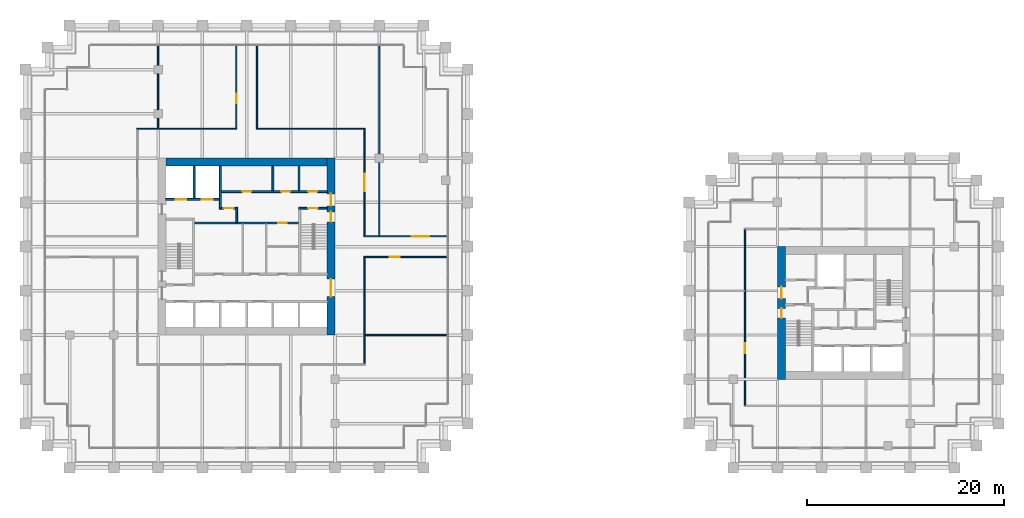
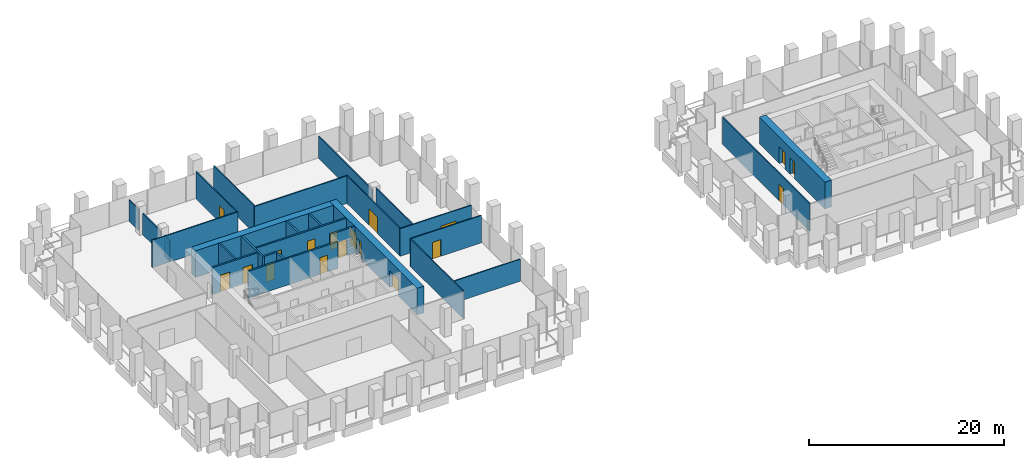
# One storey, part 51 of 54: 28 walls, 18 doors, 18 openings.
"""IFC4 building model written with IfcOpenShell, lengths in metres."""

from ifc_helpers import new_model, si_unit, direction, frame, frame_2d, origin, place, context, subcontext, project, spatial, rectangle, extrude, material, layer, layer_set, type_object, element, fill, save


model = new_model("IFC4")

# Units and contexts
model_context = context("Model", 3, precision=1e-05, world=origin(), true_north=direction((0.0, 1.0)))
body_context = subcontext(model_context, "Body", "Model", "MODEL_VIEW")
ifc_project = project(units=[si_unit("LENGTHUNIT", "METRE"), si_unit("AREAUNIT", "SQUARE_METRE"), si_unit("VOLUMEUNIT", "CUBIC_METRE"), si_unit("PLANEANGLEUNIT", "RADIAN"), si_unit("MASSUNIT", "GRAM", prefix="KILO")], contexts=[model_context])

# Site, building, storey
site_placement = place(None, origin())
site = spatial("IfcSite", under=ifc_project, at=site_placement, CompositionType="ELEMENT")
building_placement = place(site_placement, origin())
building = spatial("IfcBuilding", under=site, at=building_placement, Name="Altepetl Exchange Towers", CompositionType="ELEMENT")
storey_placement = place(building_placement, frame((0.0, 0.0, 58.199951171875)))
storey = spatial("IfcBuildingStorey", under=building, at=storey_placement, Name="L13", CompositionType="ELEMENT", Elevation=58.199951171875)

# Wall, openings, doors
ifc_material_1 = material(Name="Concrete C70/85", Category="concrete")
ifc_layer_1 = layer(ifc_material_1, 0.800048828125)
ifc_layer_set_1 = layer_set([ifc_layer_1], Name="Concrete C70/85")
wall_type_1 = type_object("IfcWallType", Name="Core wall 800 reinforced concrete", PredefinedType="SHEAR", material=ifc_layer_set_1)
wall_1_placement = place(storey_placement, frame((58.10009765625, 40.5, 0.0), z_axis=(0.0, 0.0, 1.0), x_axis=(0.0, 1.0, 0.0)))
wall_1 = element("IfcWall", 1, at=wall_1_placement, inside=storey, type_object=wall_type_1, Name="wall:A:L13:K-coreE", PredefinedType="SHEAR", context=body_context, shape_type="SweptSolid", body=[
    extrude(rectangle(XDim=18.0, YDim=0.800048828125, at=frame_2d((9.0, 0.0))), origin(), (0.0, 0.0, 1.0), 3.35009765625),
])
opening_1_placement = place(wall_1_placement, frame((13.14990234375, 0.0, 0.0)))
opening_1 = element("IfcOpeningElement", 2, at=opening_1_placement, cuts=wall_1, Name="Opening L13.A60", PredefinedType="OPENING", context=body_context, shape_type="SweptSolid", body=[
    extrude(rectangle(XDim=1.199951171875, YDim=2.10009765625, at=frame_2d((0.60009765625, 1.050048828125))), frame((0.0, 0.41015625, 0.0), z_axis=(0.0, -1.0, 0.0), x_axis=(1.0, 0.0, 0.0)), (0.0, 0.0, 1.0), 0.820068359375),
])
opening_2_placement = place(wall_1_placement, frame((3.89990234375, 0.0, 0.0)))
opening_2 = element("IfcOpeningElement", 3, at=opening_2_placement, cuts=wall_1, Name="Opening L13.A61", PredefinedType="OPENING", context=body_context, shape_type="SweptSolid", body=[
    extrude(rectangle(XDim=1.800048828125, YDim=2.10009765625, at=frame_2d((0.89990234375, 1.050048828125))), frame((0.0, 0.41015625, 0.0), z_axis=(0.0, -1.0, 0.0), x_axis=(1.0, 0.0, 0.0)), (0.0, 0.0, 1.0), 0.820068359375),
])
opening_3_placement = place(wall_1_placement, frame((11.52490234375, 0.0, 0.0)))
opening_3 = element("IfcOpeningElement", 4, at=opening_3_placement, cuts=wall_1, Name="Opening L13.A66", PredefinedType="OPENING", context=body_context, shape_type="SweptSolid", body=[
    extrude(rectangle(XDim=1.0, YDim=2.10009765625, at=frame_2d((0.5, 1.050048828125))), frame((0.0, 0.41015625, 0.0), z_axis=(0.0, -1.0, 0.0), x_axis=(1.0, 0.0, 0.0)), (0.0, 0.0, 1.0), 0.820068359375),
])
ifc_material_2 = material(Name="Steel and timber fire door", Category="steel")
door_type_1 = type_object("IfcDoorType", Name="Fire door 1000 x 2100 stair and lobby", OperationType="SINGLE_SWING_LEFT", PredefinedType="DOOR", material=ifc_material_2)
door_1_placement = place(opening_3_placement, origin())
door_1 = element("IfcDoor", 5, at=door_1_placement, inside=storey, type_object=door_type_1, Name="door:A:L13:K-dS2x", OperationType="SINGLE_SWING_RIGHT", OverallHeight=2.10009765625, OverallWidth=1.0, PredefinedType="DOOR", context=body_context, shape_type="SweptSolid", body=[
    extrude(rectangle(XDim=1.0, YDim=2.10009765625, at=frame_2d((0.5, 1.050048828125))), frame((0.0, 0.02490234375, 0.0), z_axis=(0.0, -1.0, 0.0), x_axis=(1.0, 0.0, 0.0)), (0.0, 0.0, 1.0), 0.050048828125),
])
fill(opening_3, door_1)
door_type_2 = type_object("IfcDoorType", Name="Fire door 1200 x 2100 lobby entry", OperationType="SINGLE_SWING_LEFT", PredefinedType="DOOR", material=ifc_material_2)
door_2_placement = place(opening_1_placement, origin())
door_2 = element("IfcDoor", 6, at=door_2_placement, inside=storey, type_object=door_type_2, Name="door:A:L13:K-dLNE", OperationType="SINGLE_SWING_RIGHT", OverallHeight=2.10009765625, OverallWidth=1.199951171875, PredefinedType="DOOR", context=body_context, shape_type="SweptSolid", body=[
    extrude(rectangle(XDim=1.199951171875, YDim=2.10009765625, at=frame_2d((0.60009765625, 1.050048828125))), frame((0.0, 0.02490234375, 0.0), z_axis=(0.0, -1.0, 0.0), x_axis=(1.0, 0.0, 0.0)), (0.0, 0.0, 1.0), 0.050048828125),
])
fill(opening_1, door_2)
door_type_3 = type_object("IfcDoorType", Name="Fire door 1800 x 2100 lobby entry", OperationType="DOUBLE_DOOR_SINGLE_SWING", PredefinedType="DOOR", material=ifc_material_2)
door_3_placement = place(opening_2_placement, origin())
door_3 = element("IfcDoor", 7, at=door_3_placement, inside=storey, type_object=door_type_3, Name="door:A:L13:K-dLSE", OperationType="DOUBLE_DOOR_SINGLE_SWING", OverallHeight=2.10009765625, OverallWidth=1.800048828125, PredefinedType="DOOR", context=body_context, shape_type="SweptSolid", body=[
    extrude(rectangle(XDim=1.800048828125, YDim=2.10009765625, at=frame_2d((0.89990234375, 1.050048828125))), frame((0.0, 0.02490234375, 0.0), z_axis=(0.0, -1.0, 0.0), x_axis=(1.0, 0.0, 0.0)), (0.0, 0.0, 1.0), 0.050048828125),
])
fill(opening_2, door_3)

# Wall
wall_2_placement = place(storey_placement, frame((41.300048828125, 58.10009765625, 0.0)))
element("IfcWall", 8, at=wall_2_placement, inside=storey, type_object=wall_type_1, Name="wall:A:L13:K-coreN", PredefinedType="SHEAR", context=body_context, shape_type="SweptSolid", body=[
    extrude(rectangle(XDim=16.39990234375, YDim=0.800048828125, at=frame_2d((8.199951171875, 0.0))), origin(), (0.0, 0.0, 1.0), 3.35009765625),
])

# Wall, openings, doors
wall_3_placement = place(storey_placement, frame((103.89990234375, 36.0, 0.0), z_axis=(0.0, 0.0, 1.0), x_axis=(0.0, 1.0, 0.0)))
wall_3 = element("IfcWall", 9, at=wall_3_placement, inside=storey, type_object=wall_type_1, Name="wall:B:L13:K-coreW", PredefinedType="SHEAR", context=body_context, shape_type="SweptSolid", body=[
    extrude(rectangle(XDim=13.5, YDim=0.800048828125, at=frame_2d((6.75, 0.0))), origin(), (0.0, 0.0, 1.0), 3.35009765625),
])
opening_4_placement = place(wall_3_placement, frame((8.199951171875, 0.0, 0.0)))
opening_4 = element("IfcOpeningElement", 10, at=opening_4_placement, cuts=wall_3, Name="Opening L13.B60", PredefinedType="OPENING", context=body_context, shape_type="SweptSolid", body=[
    extrude(rectangle(XDim=1.199951171875, YDim=2.10009765625, at=frame_2d((0.60009765625, 1.050048828125))), frame((0.0, 0.41015625, 0.0), z_axis=(0.0, -1.0, 0.0), x_axis=(1.0, 0.0, 0.0)), (0.0, 0.0, 1.0), 0.820068359375),
])
opening_5_placement = place(wall_3_placement, frame((6.22509765625, 0.0, 0.0)))
opening_5 = element("IfcOpeningElement", 11, at=opening_5_placement, cuts=wall_3, Name="Opening L13.B63", PredefinedType="OPENING", context=body_context, shape_type="SweptSolid", body=[
    extrude(rectangle(XDim=1.0, YDim=2.10009765625, at=frame_2d((0.5, 1.050048828125))), frame((0.0, 0.41015625, 0.0), z_axis=(0.0, -1.0, 0.0), x_axis=(1.0, 0.0, 0.0)), (0.0, 0.0, 1.0), 0.820068359375),
])
door_4_placement = place(opening_5_placement, frame((1.0, 0.0, 0.0), x_axis=(-1.0, 0.0, 0.0)))
door_4 = element("IfcDoor", 12, at=door_4_placement, inside=storey, type_object=door_type_1, Name="door:B:L13:K-dS1x", OperationType="SINGLE_SWING_RIGHT", OverallHeight=2.10009765625, OverallWidth=1.0, PredefinedType="DOOR", context=body_context, shape_type="SweptSolid", body=[
    extrude(rectangle(XDim=1.0, YDim=2.10009765625, at=frame_2d((0.5, 1.050048828125))), frame((0.0, 0.02490234375, 0.0), z_axis=(0.0, -1.0, 0.0), x_axis=(1.0, 0.0, 0.0)), (0.0, 0.0, 1.0), 0.050048828125),
])
fill(opening_5, door_4)
door_5_placement = place(opening_4_placement, frame((1.199951171875, 0.0, 0.0), x_axis=(-1.0, 0.0, 0.0)))
door_5 = element("IfcDoor", 13, at=door_5_placement, inside=storey, type_object=door_type_2, Name="door:B:L13:K-dLNW", OperationType="SINGLE_SWING_RIGHT", OverallHeight=2.10009765625, OverallWidth=1.199951171875, PredefinedType="DOOR", context=body_context, shape_type="SweptSolid", body=[
    extrude(rectangle(XDim=1.199951171875, YDim=2.10009765625, at=frame_2d((0.60009765625, 1.050048828125))), frame((0.0, 0.02490234375, 0.0), z_axis=(0.0, -1.0, 0.0), x_axis=(1.0, 0.0, 0.0)), (0.0, 0.0, 1.0), 0.050048828125),
])
fill(opening_4, door_5)

# Wall
ifc_material_3 = material(Name="Concrete blockwork", Category="masonry")
ifc_layer_2 = layer(ifc_material_3, 0.199951171875)
ifc_layer_set_2 = layer_set([ifc_layer_2], Name="Concrete blockwork")
wall_type_2 = type_object("IfcWallType", Name="Lobby wall 200 blockwork", PredefinedType="PARTITIONING", material=ifc_layer_set_2)
wall_4_placement = place(storey_placement, frame((48.5, 51.89990234375, 0.0), z_axis=(0.0, 0.0, 1.0), x_axis=(0.0, 1.0, 0.0)))
element("IfcWall", 14, at=wall_4_placement, inside=storey, type_object=wall_type_2, Name="wall:A:L13:K-ffE", PredefinedType="PARTITIONING", context=body_context, shape_type="SweptSolid", body=[
    extrude(rectangle(XDim=1.60009765625, YDim=0.199951171875, at=frame_2d((0.800048828125, 0.0))), origin(), (0.0, 0.0, 1.0), 3.35009765625),
])

# Wall, opening, door
wall_5_placement = place(storey_placement, frame((46.933349609375, 53.39990234375, 0.0)))
wall_5 = element("IfcWall", 15, at=wall_5_placement, inside=storey, type_object=wall_type_2, Name="wall:A:L13:K-ffN", PredefinedType="PARTITIONING", context=body_context, shape_type="SweptSolid", body=[
    extrude(rectangle(XDim=1.466552734375, YDim=0.199951171875, at=frame_2d((0.7333984375, 0.0))), origin(), (0.0, 0.0, 1.0), 3.35009765625),
])
opening_6_placement = place(wall_5_placement, frame((0.2666015625, 0.0, 0.0)))
opening_6 = element("IfcOpeningElement", 16, at=opening_6_placement, cuts=wall_5, Name="Opening L13.A67", PredefinedType="OPENING", context=body_context, shape_type="SweptSolid", body=[
    extrude(rectangle(XDim=1.0, YDim=2.10009765625, at=frame_2d((0.5, 1.050048828125))), frame((0.0, 0.10986328125, 0.0), z_axis=(0.0, -1.0, 0.0), x_axis=(1.0, 0.0, 0.0)), (0.0, 0.0, 1.0), 0.219970703125),
])
door_6_placement = place(opening_6_placement, frame((1.0, 0.0, 0.0), x_axis=(-1.0, 0.0, 0.0)))
door_6 = element("IfcDoor", 17, at=door_6_placement, inside=storey, type_object=door_type_1, Name="door:A:L13:K-dffN", OperationType="SINGLE_SWING_RIGHT", OverallHeight=2.10009765625, OverallWidth=1.0, PredefinedType="DOOR", context=body_context, shape_type="SweptSolid", body=[
    extrude(rectangle(XDim=1.0, YDim=2.10009765625, at=frame_2d((0.5, 1.050048828125))), frame((0.0, 0.02490234375, 0.0), z_axis=(0.0, -1.0, 0.0), x_axis=(1.0, 0.0, 0.0)), (0.0, 0.0, 1.0), 0.050048828125),
])
fill(opening_6, door_6)

wall_6_placement = place(storey_placement, frame((44.199951171875, 51.89990234375, 0.0)))
wall_6 = element("IfcWall", 18, at=wall_6_placement, inside=storey, type_object=wall_type_2, Name="wall:A:L13:K-zoneN", PredefinedType="PARTITIONING", context=body_context, shape_type="SweptSolid", body=[
    extrude(rectangle(XDim=10.60009765625, YDim=0.199951171875, at=frame_2d((5.300048828125, 0.0))), origin(), (0.0, 0.0, 1.0), 3.35009765625),
])
opening_7_placement = place(wall_6_placement, frame((8.5, 0.0, 0.0)))
opening_7 = element("IfcOpeningElement", 19, at=opening_7_placement, cuts=wall_6, Name="Opening L13.A74", PredefinedType="OPENING", context=body_context, shape_type="SweptSolid", body=[
    extrude(rectangle(XDim=0.89990234375, YDim=2.10009765625, at=frame_2d((0.449951171875, 1.050048828125))), frame((0.0, 0.10986328125, 0.0), z_axis=(0.0, -1.0, 0.0), x_axis=(1.0, 0.0, 0.0)), (0.0, 0.0, 1.0), 0.219970703125),
])
door_type_4 = type_object("IfcDoorType", Name="Fire door 900 x 2100 service room", OperationType="SINGLE_SWING_LEFT", PredefinedType="DOOR", material=ifc_material_2)
door_7_placement = place(opening_7_placement, frame((0.89990234375, 0.0, 0.0), x_axis=(-1.0, 0.0, 0.0)))
door_7 = element("IfcDoor", 20, at=door_7_placement, inside=storey, type_object=door_type_4, Name="door:A:L13:K-dz3", OperationType="SINGLE_SWING_LEFT", OverallHeight=2.10009765625, OverallWidth=0.89990234375, PredefinedType="DOOR", context=body_context, shape_type="SweptSolid", body=[
    extrude(rectangle(XDim=0.89990234375, YDim=2.10009765625, at=frame_2d((0.449951171875, 1.050048828125))), frame((0.0, 0.02490234375, 0.0), z_axis=(0.0, -1.0, 0.0), x_axis=(1.0, 0.0, 0.0)), (0.0, 0.0, 1.0), 0.050048828125),
])
fill(opening_7, door_7)

# Wall
ifc_material_4 = material(Name="Gypsum board on steel studs", Category="steel")
ifc_layer_3 = layer(ifc_material_4, 0.125)
ifc_layer_set_3 = layer_set([ifc_layer_3], Name="Gypsum board on steel studs")
wall_type_3 = type_object("IfcWallType", Name="Partition 125 gypsum board on steel studs", PredefinedType="PARTITIONING", material=ifc_layer_set_3)
wall_7_placement = place(storey_placement, frame((61.5, 40.5, 0.0)))
element("IfcWall", 21, at=wall_7_placement, inside=storey, type_object=wall_type_3, Name="wall:A:L13:P03", PredefinedType="PARTITIONING", context=body_context, shape_type="SweptSolid", body=[
    extrude(rectangle(XDim=8.39990234375, YDim=0.125, at=frame_2d((4.199951171875, 0.0))), origin(), (0.0, 0.0, 1.0), 2.76611328125),
])

# Wall, opening, door
wall_8_placement = place(storey_placement, frame((61.4375, 48.449951171875, 0.0)))
wall_8 = element("IfcWall", 22, at=wall_8_placement, inside=storey, type_object=wall_type_3, Name="wall:A:L13:P05", PredefinedType="PARTITIONING", context=body_context, shape_type="SweptSolid", body=[
    extrude(rectangle(XDim=8.46240234375, YDim=0.125, at=frame_2d((4.231201171875, 0.0))), origin(), (0.0, 0.0, 1.0), 3.449951171875),
])
opening_8_placement = place(wall_8_placement, frame((2.62451171875, 0.0, 0.0)))
opening_8 = element("IfcOpeningElement", 23, at=opening_8_placement, cuts=wall_8, Name="Opening L13.A05", PredefinedType="OPENING", context=body_context, shape_type="SweptSolid", body=[
    extrude(rectangle(XDim=1.0, YDim=2.10009765625, at=frame_2d((0.5, 1.050048828125))), frame((0.0, 0.072509765625, 0.0), z_axis=(0.0, -1.0, 0.0), x_axis=(1.0, 0.0, 0.0)), (0.0, 0.0, 1.0), 0.14501953125),
])
door_type_5 = type_object("IfcDoorType", Name="Fire door 1000 x 2100 single leaf", OperationType="SINGLE_SWING_LEFT", PredefinedType="DOOR", material=ifc_material_2)
door_8_placement = place(opening_8_placement, frame((1.0, 0.0, 0.0), x_axis=(-1.0, 0.0, 0.0)))
door_8 = element("IfcDoor", 24, at=door_8_placement, inside=storey, type_object=door_type_5, Name="door:A:L13:05", OperationType="SINGLE_SWING_LEFT", OverallHeight=2.10009765625, OverallWidth=1.0, PredefinedType="DOOR", context=body_context, shape_type="SweptSolid", body=[
    extrude(rectangle(XDim=1.0, YDim=2.10009765625, at=frame_2d((0.5, 1.050048828125))), frame((0.0, 0.02490234375, 0.0), z_axis=(0.0, -1.0, 0.0), x_axis=(1.0, 0.0, 0.0)), (0.0, 0.0, 1.0), 0.050048828125),
])
fill(opening_8, door_8)

wall_9_placement = place(storey_placement, frame((61.4375, 50.550048828125, 0.0)))
wall_9 = element("IfcWall", 25, at=wall_9_placement, inside=storey, type_object=wall_type_3, Name="wall:A:L13:P07", PredefinedType="PARTITIONING", context=body_context, shape_type="SweptSolid", body=[
    extrude(rectangle(XDim=8.46240234375, YDim=0.125, at=frame_2d((4.231201171875, 0.0))), origin(), (0.0, 0.0, 1.0), 3.449951171875),
])
opening_9_placement = place(wall_9_placement, frame((4.847412109375, 0.0, 0.0)))
opening_9 = element("IfcOpeningElement", 26, at=opening_9_placement, cuts=wall_9, Name="Opening L13.A06", PredefinedType="OPENING", context=body_context, shape_type="SweptSolid", body=[
    extrude(rectangle(XDim=1.800048828125, YDim=2.10009765625, at=frame_2d((0.89990234375, 1.050048828125))), frame((0.0, 0.072509765625, 0.0), z_axis=(0.0, -1.0, 0.0), x_axis=(1.0, 0.0, 0.0)), (0.0, 0.0, 1.0), 0.14501953125),
])
door_type_6 = type_object("IfcDoorType", Name="Fire door 1800 x 2100 double leaf", OperationType="DOUBLE_DOOR_SINGLE_SWING", PredefinedType="DOOR", material=ifc_material_2)
door_9_placement = place(opening_9_placement, origin())
door_9 = element("IfcDoor", 27, at=door_9_placement, inside=storey, type_object=door_type_6, Name="door:A:L13:06", OperationType="DOUBLE_DOOR_SINGLE_SWING", OverallHeight=2.10009765625, OverallWidth=1.800048828125, PredefinedType="DOOR", context=body_context, shape_type="SweptSolid", body=[
    extrude(rectangle(XDim=1.800048828125, YDim=2.10009765625, at=frame_2d((0.89990234375, 1.050048828125))), frame((0.0, 0.02490234375, 0.0), z_axis=(0.0, -1.0, 0.0), x_axis=(1.0, 0.0, 0.0)), (0.0, 0.0, 1.0), 0.050048828125),
])
fill(opening_9, door_9)

# Walls
wall_10_placement = place(storey_placement, frame((38.33740234375, 61.5, 0.0)))
element("IfcWall", 28, at=wall_10_placement, inside=storey, type_object=wall_type_3, Name="wall:A:L13:P08", PredefinedType="PARTITIONING", context=body_context, shape_type="SweptSolid", body=[
    extrude(rectangle(XDim=10.175048828125, YDim=0.125, at=frame_2d((5.08740234375, 0.0))), origin(), (0.0, 0.0, 1.0), 3.449951171875),
])
wall_11_placement = place(storey_placement, frame((50.487548828125, 61.5, 0.0)))
element("IfcWall", 29, at=wall_11_placement, inside=storey, type_object=wall_type_3, Name="wall:A:L13:P09", PredefinedType="PARTITIONING", context=body_context, shape_type="SweptSolid", body=[
    extrude(rectangle(XDim=11.074951171875, YDim=0.125, at=frame_2d((5.53759765625, 0.0))), origin(), (0.0, 0.0, 1.0), 3.449951171875),
])
wall_12_placement = place(storey_placement, frame((40.5, 61.5, 0.0), z_axis=(0.0, 0.0, 1.0), x_axis=(0.0, 1.0, 0.0)))
element("IfcWall", 30, at=wall_12_placement, inside=storey, type_object=wall_type_3, Name="wall:A:L13:P15", PredefinedType="PARTITIONING", context=body_context, shape_type="SweptSolid", body=[
    extrude(rectangle(XDim=1.074951171875, YDim=0.125, at=frame_2d((0.53759765625, 0.0))), origin(), (0.0, 0.0, 1.0), 2.676025390625),
])
wall_13_placement = place(storey_placement, frame((40.5, 63.425048828125, 0.0), z_axis=(0.0, 0.0, 1.0), x_axis=(0.0, 1.0, 0.0)))
element("IfcWall", 31, at=wall_13_placement, inside=storey, type_object=wall_type_3, Name="wall:A:L13:P16", PredefinedType="PARTITIONING", context=body_context, shape_type="SweptSolid", body=[
    extrude(rectangle(XDim=3.64990234375, YDim=0.125, at=frame_2d((1.824951171875, 0.0))), origin(), (0.0, 0.0, 1.0), 2.676025390625),
])
wall_14_placement = place(storey_placement, frame((40.5, 67.925048828125, 0.0), z_axis=(0.0, 0.0, 1.0), x_axis=(0.0, 1.0, 0.0)))
element("IfcWall", 32, at=wall_14_placement, inside=storey, type_object=wall_type_3, Name="wall:A:L13:P17", PredefinedType="PARTITIONING", context=body_context, shape_type="SweptSolid", body=[
    extrude(rectangle(XDim=1.974853515625, YDim=0.125, at=frame_2d((0.9873046875, 0.0))), origin(), (0.0, 0.0, 1.0), 2.676025390625),
])

# Wall, opening, door
wall_15_placement = place(storey_placement, frame((48.449951171875, 61.5625, 0.0), z_axis=(0.0, 0.0, 1.0), x_axis=(0.0, 1.0, 0.0)))
wall_15 = element("IfcWall", 33, at=wall_15_placement, inside=storey, type_object=wall_type_3, Name="wall:A:L13:P18", PredefinedType="PARTITIONING", context=body_context, shape_type="SweptSolid", body=[
    extrude(rectangle(XDim=8.33740234375, YDim=0.125, at=frame_2d((4.168701171875, 0.0))), origin(), (0.0, 0.0, 1.0), 3.449951171875),
])
opening_10_placement = place(wall_15_placement, frame((2.49951171875, 0.0, 0.0)))
opening_10 = element("IfcOpeningElement", 34, at=opening_10_placement, cuts=wall_15, Name="Opening L13.A08", PredefinedType="OPENING", context=body_context, shape_type="SweptSolid", body=[
    extrude(rectangle(XDim=1.0, YDim=2.10009765625, at=frame_2d((0.5, 1.050048828125))), frame((0.0, 0.072509765625, 0.0), z_axis=(0.0, -1.0, 0.0), x_axis=(1.0, 0.0, 0.0)), (0.0, 0.0, 1.0), 0.14501953125),
])
door_10_placement = place(opening_10_placement, origin())
door_10 = element("IfcDoor", 35, at=door_10_placement, inside=storey, type_object=door_type_5, Name="door:A:L13:08", OperationType="SINGLE_SWING_LEFT", OverallHeight=2.10009765625, OverallWidth=1.0, PredefinedType="DOOR", context=body_context, shape_type="SweptSolid", body=[
    extrude(rectangle(XDim=1.0, YDim=2.10009765625, at=frame_2d((0.5, 1.050048828125))), frame((0.0, 0.02490234375, 0.0), z_axis=(0.0, -1.0, 0.0), x_axis=(1.0, 0.0, 0.0)), (0.0, 0.0, 1.0), 0.050048828125),
])
fill(opening_10, door_10)

# Walls
wall_16_placement = place(storey_placement, frame((50.550048828125, 61.5625, 0.0), z_axis=(0.0, 0.0, 1.0), x_axis=(0.0, 1.0, 0.0)))
element("IfcWall", 36, at=wall_16_placement, inside=storey, type_object=wall_type_3, Name="wall:A:L13:P19", PredefinedType="PARTITIONING", context=body_context, shape_type="SweptSolid", body=[
    extrude(rectangle(XDim=8.33740234375, YDim=0.125, at=frame_2d((4.168701171875, 0.0))), origin(), (0.0, 0.0, 1.0), 3.449951171875),
])
wall_17_placement = place(storey_placement, frame((61.5, 37.5625, 0.0), z_axis=(0.0, 0.0, 1.0), x_axis=(0.0, 1.0, 0.0)))
element("IfcWall", 37, at=wall_17_placement, inside=storey, type_object=wall_type_3, Name="wall:A:L13:P22", PredefinedType="PARTITIONING", context=body_context, shape_type="SweptSolid", body=[
    extrude(rectangle(XDim=10.824951171875, YDim=0.125, at=frame_2d((5.41259765625, 0.0))), origin(), (0.0, 0.0, 1.0), 3.449951171875),
])

# Wall, opening, door
wall_18_placement = place(storey_placement, frame((61.5, 50.612548828125, 0.0), z_axis=(0.0, 0.0, 1.0), x_axis=(0.0, 1.0, 0.0)))
wall_18 = element("IfcWall", 38, at=wall_18_placement, inside=storey, type_object=wall_type_3, Name="wall:A:L13:P23", PredefinedType="PARTITIONING", context=body_context, shape_type="SweptSolid", body=[
    extrude(rectangle(XDim=10.824951171875, YDim=0.125, at=frame_2d((5.41259765625, 0.0))), origin(), (0.0, 0.0, 1.0), 3.449951171875),
])
opening_11_placement = place(wall_18_placement, frame((4.512451171875, 0.0, 0.0)))
opening_11 = element("IfcOpeningElement", 39, at=opening_11_placement, cuts=wall_18, Name="Opening L13.A07", PredefinedType="OPENING", context=body_context, shape_type="SweptSolid", body=[
    extrude(rectangle(XDim=1.800048828125, YDim=2.10009765625, at=frame_2d((0.89990234375, 1.050048828125))), frame((0.0, 0.072509765625, 0.0), z_axis=(0.0, -1.0, 0.0), x_axis=(1.0, 0.0, 0.0)), (0.0, 0.0, 1.0), 0.14501953125),
])
door_11_placement = place(opening_11_placement, frame((1.800048828125, 0.0, 0.0), x_axis=(-1.0, 0.0, 0.0)))
door_11 = element("IfcDoor", 40, at=door_11_placement, inside=storey, type_object=door_type_6, Name="door:A:L13:07", OperationType="DOUBLE_DOOR_SINGLE_SWING", OverallHeight=2.10009765625, OverallWidth=1.800048828125, PredefinedType="DOOR", context=body_context, shape_type="SweptSolid", body=[
    extrude(rectangle(XDim=1.800048828125, YDim=2.10009765625, at=frame_2d((0.89990234375, 1.050048828125))), frame((0.0, 0.02490234375, 0.0), z_axis=(0.0, -1.0, 0.0), x_axis=(1.0, 0.0, 0.0)), (0.0, 0.0, 1.0), 0.050048828125),
])
fill(opening_11, door_11)

# Walls
wall_19_placement = place(storey_placement, frame((63.0, 50.550048828125, 0.0), z_axis=(0.0, 0.0, 1.0), x_axis=(0.0, 1.0, 0.0)))
element("IfcWall", 41, at=wall_19_placement, inside=storey, type_object=wall_type_3, Name="wall:A:L13:P24", PredefinedType="PARTITIONING", context=body_context, shape_type="SweptSolid", body=[
    extrude(rectangle(XDim=7.52490234375, YDim=0.125, at=frame_2d((3.762451171875, 0.0))), origin(), (0.0, 0.0, 1.0), 3.449951171875),
])
wall_20_placement = place(storey_placement, frame((63.0, 58.925048828125, 0.0), z_axis=(0.0, 0.0, 1.0), x_axis=(0.0, 1.0, 0.0)))
element("IfcWall", 42, at=wall_20_placement, inside=storey, type_object=wall_type_3, Name="wall:A:L13:P25", PredefinedType="PARTITIONING", context=body_context, shape_type="SweptSolid", body=[
    extrude(rectangle(XDim=10.974853515625, YDim=0.125, at=frame_2d((5.4873046875, 0.0))), origin(), (0.0, 0.0, 1.0), 2.76611328125),
])

# Wall, opening, door
wall_21_placement = place(storey_placement, frame((100.199951171875, 33.362548828125, 0.0), z_axis=(0.0, 0.0, 1.0), x_axis=(0.0, 1.0, 0.0)))
wall_21 = element("IfcWall", 43, at=wall_21_placement, inside=storey, type_object=wall_type_3, Name="wall:B:L13:P06", PredefinedType="PARTITIONING", context=body_context, shape_type="SweptSolid", body=[
    extrude(rectangle(XDim=17.875, YDim=0.125, at=frame_2d((8.9375, 0.0))), origin(), (0.0, 0.0, 1.0), 3.449951171875),
])
opening_12_placement = place(wall_21_placement, frame((5.28759765625, 0.0, 0.0)))
opening_12 = element("IfcOpeningElement", 44, at=opening_12_placement, cuts=wall_21, Name="Opening L13.B01", PredefinedType="OPENING", context=body_context, shape_type="SweptSolid", body=[
    extrude(rectangle(XDim=1.0, YDim=2.10009765625, at=frame_2d((0.5, 1.050048828125))), frame((0.0, 0.072509765625, 0.0), z_axis=(0.0, -1.0, 0.0), x_axis=(1.0, 0.0, 0.0)), (0.0, 0.0, 1.0), 0.14501953125),
])
door_12_placement = place(opening_12_placement, origin())
door_12 = element("IfcDoor", 45, at=door_12_placement, inside=storey, type_object=door_type_5, Name="door:B:L13:01", OperationType="SINGLE_SWING_LEFT", OverallHeight=2.10009765625, OverallWidth=1.0, PredefinedType="DOOR", context=body_context, shape_type="SweptSolid", body=[
    extrude(rectangle(XDim=1.0, YDim=2.10009765625, at=frame_2d((0.5, 1.050048828125))), frame((0.0, 0.02490234375, 0.0), z_axis=(0.0, -1.0, 0.0), x_axis=(1.0, 0.0, 0.0)), (0.0, 0.0, 1.0), 0.050048828125),
])
fill(opening_12, door_12)

# Walls
ifc_material_5 = material(Name="Concrete C40/50", Category="concrete")
ifc_layer_4 = layer(ifc_material_5, 0.199951171875)
ifc_layer_set_4 = layer_set([ifc_layer_4], Name="Concrete C40/50")
wall_type_4 = type_object("IfcWallType", Name="Shaft wall 200 reinforced concrete", PredefinedType="SHEAR", material=ifc_layer_set_4)
wall_22_placement = place(storey_placement, frame((44.166748046875, 57.699951171875, 0.0), z_axis=(0.0, 0.0, 1.0), x_axis=(0.0, -1.0, 0.0)))
element("IfcWall", 46, at=wall_22_placement, inside=storey, type_object=wall_type_4, Name="wall:A:L13:K-divN1", PredefinedType="SHEAR", context=body_context, shape_type="SweptSolid", body=[
    extrude(rectangle(XDim=3.300048828125, YDim=0.199951171875, at=frame_2d((1.64990234375, 0.0))), origin(), (0.0, 0.0, 1.0), 3.35009765625),
])
wall_23_placement = place(storey_placement, frame((46.833251953125, 57.699951171875, 0.0), z_axis=(0.0, 0.0, 1.0), x_axis=(0.0, -1.0, 0.0)))
element("IfcWall", 47, at=wall_23_placement, inside=storey, type_object=wall_type_4, Name="wall:A:L13:K-divN2", PredefinedType="SHEAR", context=body_context, shape_type="SweptSolid", body=[
    extrude(rectangle(XDim=4.39990234375, YDim=0.199951171875, at=frame_2d((2.199951171875, 0.0))), origin(), (0.0, 0.0, 1.0), 3.35009765625),
])
for number, where, z_axis, x_axis, name in (
    (48, (52.166748046875, 57.699951171875, 0.0), (0.0, 0.0, 1.0), (0.0, -1.0, 0.0), "wall:A:L13:K-divN4"),
    (49, (54.833251953125, 57.699951171875, 0.0), (0.0, 0.0, 1.0), (0.0, -1.0, 0.0), "wall:A:L13:K-divN5"),
):
    element("IfcWall", number, at=place(storey_placement, frame(where, z_axis=z_axis, x_axis=x_axis)), inside=storey, type_object=wall_type_4, Name=name, PredefinedType="SHEAR", context=body_context, shape_type="SweptSolid", body=[
        extrude(rectangle(XDim=2.5, YDim=0.199951171875, at=frame_2d((1.25, 0.0))), origin(), (0.0, 0.0, 1.0), 3.35009765625),
    ])

# Wall, openings, doors
wall_24_placement = place(storey_placement, frame((46.933349609375, 55.10009765625, 0.0)))
wall_24 = element("IfcWall", 50, at=wall_24_placement, inside=storey, type_object=wall_type_4, Name="wall:A:L13:K-frontNb", PredefinedType="SHEAR", context=body_context, shape_type="SweptSolid", body=[
    extrude(rectangle(XDim=10.7666015625, YDim=0.199951171875, at=frame_2d((5.38330078125, 0.0))), origin(), (0.0, 0.0, 1.0), 3.35009765625),
])
opening_13_placement = place(wall_24_placement, frame((8.83349609375, 0.0, 0.0)))
opening_13 = element("IfcOpeningElement", 51, at=opening_13_placement, cuts=wall_24, Name="Opening L13.A69", PredefinedType="OPENING", context=body_context, shape_type="SweptSolid", body=[
    extrude(rectangle(XDim=0.89990234375, YDim=2.10009765625, at=frame_2d((0.449951171875, 1.050048828125))), frame((0.0, 0.10986328125, 0.0), z_axis=(0.0, -1.0, 0.0), x_axis=(1.0, 0.0, 0.0)), (0.0, 0.0, 1.0), 0.219970703125),
])
opening_14_placement = place(wall_24_placement, frame((2.11669921875, 0.0, 0.0)))
opening_14 = element("IfcOpeningElement", 52, at=opening_14_placement, cuts=wall_24, Name="Opening L13.A70", PredefinedType="OPENING", context=body_context, shape_type="SweptSolid", body=[
    extrude(rectangle(XDim=0.89990234375, YDim=2.10009765625, at=frame_2d((0.449951171875, 1.050048828125))), frame((0.0, 0.10986328125, 0.0), z_axis=(0.0, -1.0, 0.0), x_axis=(1.0, 0.0, 0.0)), (0.0, 0.0, 1.0), 0.219970703125),
])
opening_15_placement = place(wall_24_placement, frame((6.11669921875, 0.0, 0.0)))
opening_15 = element("IfcOpeningElement", 53, at=opening_15_placement, cuts=wall_24, Name="Opening L13.A71", PredefinedType="OPENING", context=body_context, shape_type="SweptSolid", body=[
    extrude(rectangle(XDim=0.89990234375, YDim=2.10009765625, at=frame_2d((0.449951171875, 1.050048828125))), frame((0.0, 0.10986328125, 0.0), z_axis=(0.0, -1.0, 0.0), x_axis=(1.0, 0.0, 0.0)), (0.0, 0.0, 1.0), 0.219970703125),
])
door_13_placement = place(opening_13_placement, origin())
door_13 = element("IfcDoor", 54, at=door_13_placement, inside=storey, type_object=door_type_4, Name="door:A:L13:K-driser", OperationType="SINGLE_SWING_RIGHT", OverallHeight=2.10009765625, OverallWidth=0.89990234375, PredefinedType="DOOR", context=body_context, shape_type="SweptSolid", body=[
    extrude(rectangle(XDim=0.89990234375, YDim=2.10009765625, at=frame_2d((0.449951171875, 1.050048828125))), frame((0.0, 0.02490234375, 0.0), z_axis=(0.0, -1.0, 0.0), x_axis=(1.0, 0.0, 0.0)), (0.0, 0.0, 1.0), 0.050048828125),
])
fill(opening_13, door_13)
door_14_placement = place(opening_14_placement, origin())
door_14 = element("IfcDoor", 55, at=door_14_placement, inside=storey, type_object=door_type_4, Name="door:A:L13:K-dslotN2", OperationType="SINGLE_SWING_RIGHT", OverallHeight=2.10009765625, OverallWidth=0.89990234375, PredefinedType="DOOR", context=body_context, shape_type="SweptSolid", body=[
    extrude(rectangle(XDim=0.89990234375, YDim=2.10009765625, at=frame_2d((0.449951171875, 1.050048828125))), frame((0.0, 0.02490234375, 0.0), z_axis=(0.0, -1.0, 0.0), x_axis=(1.0, 0.0, 0.0)), (0.0, 0.0, 1.0), 0.050048828125),
])
fill(opening_14, door_14)
door_15_placement = place(opening_15_placement, origin())
door_15 = element("IfcDoor", 56, at=door_15_placement, inside=storey, type_object=door_type_4, Name="door:A:L13:K-dslotN4", OperationType="SINGLE_SWING_RIGHT", OverallHeight=2.10009765625, OverallWidth=0.89990234375, PredefinedType="DOOR", context=body_context, shape_type="SweptSolid", body=[
    extrude(rectangle(XDim=0.89990234375, YDim=2.10009765625, at=frame_2d((0.449951171875, 1.050048828125))), frame((0.0, 0.02490234375, 0.0), z_axis=(0.0, -1.0, 0.0), x_axis=(1.0, 0.0, 0.0)), (0.0, 0.0, 1.0), 0.050048828125),
])
fill(opening_15, door_15)

wall_25_placement = place(storey_placement, frame((41.300048828125, 54.300048828125, 0.0)))
wall_25 = element("IfcWall", 57, at=wall_25_placement, inside=storey, type_object=wall_type_4, Name="wall:A:L13:K-frontNd", PredefinedType="SHEAR", context=body_context, shape_type="SweptSolid", body=[
    extrude(rectangle(XDim=5.433349609375, YDim=0.199951171875, at=frame_2d((2.716796875, 0.0))), origin(), (0.0, 0.0, 1.0), 3.35009765625),
])
opening_16_placement = place(wall_25_placement, frame((0.9833984375, 0.0, 0.0)))
opening_16 = element("IfcOpeningElement", 58, at=opening_16_placement, cuts=wall_25, Name="Opening L13.A76", PredefinedType="OPENING", context=body_context, shape_type="SweptSolid", body=[
    extrude(rectangle(XDim=1.10009765625, YDim=2.10009765625, at=frame_2d((0.550048828125, 1.050048828125))), frame((0.0, 0.10986328125, 0.0), z_axis=(0.0, -1.0, 0.0), x_axis=(1.0, 0.0, 0.0)), (0.0, 0.0, 1.0), 0.219970703125),
])
opening_17_placement = place(wall_25_placement, frame((3.64990234375, 0.0, 0.0)))
opening_17 = element("IfcOpeningElement", 59, at=opening_17_placement, cuts=wall_25, Name="Opening L13.A77", PredefinedType="OPENING", context=body_context, shape_type="SweptSolid", body=[
    extrude(rectangle(XDim=1.10009765625, YDim=2.10009765625, at=frame_2d((0.550048828125, 1.050048828125))), frame((0.0, 0.10986328125, 0.0), z_axis=(0.0, -1.0, 0.0), x_axis=(1.0, 0.0, 0.0)), (0.0, 0.0, 1.0), 0.219970703125),
])
ifc_material_6 = material(Name="Stainless steel", Category="steel")
door_type_7 = type_object("IfcDoorType", Name="Lift landing door 1100 x 2100", OperationType="SLIDING_TO_LEFT", PredefinedType="DOOR", material=ifc_material_6)
door_16_placement = place(opening_16_placement, origin())
door_16 = element("IfcDoor", 60, at=door_16_placement, inside=storey, type_object=door_type_7, Name="Landing door FFL1", OperationType="SLIDING_TO_LEFT", OverallHeight=2.10009765625, OverallWidth=1.10009765625, PredefinedType="DOOR", context=body_context, shape_type="SweptSolid", body=[
    extrude(rectangle(XDim=1.10009765625, YDim=2.10009765625, at=frame_2d((0.550048828125, 1.050048828125))), frame((0.0, 0.02490234375, 0.0), z_axis=(0.0, -1.0, 0.0), x_axis=(1.0, 0.0, 0.0)), (0.0, 0.0, 1.0), 0.050048828125),
])
fill(opening_16, door_16)
door_17_placement = place(opening_17_placement, origin())
door_17 = element("IfcDoor", 61, at=door_17_placement, inside=storey, type_object=door_type_7, Name="Landing door FFL2", OperationType="SLIDING_TO_LEFT", OverallHeight=2.10009765625, OverallWidth=1.10009765625, PredefinedType="DOOR", context=body_context, shape_type="SweptSolid", body=[
    extrude(rectangle(XDim=1.10009765625, YDim=2.10009765625, at=frame_2d((0.550048828125, 1.050048828125))), frame((0.0, 0.02490234375, 0.0), z_axis=(0.0, -1.0, 0.0), x_axis=(1.0, 0.0, 0.0)), (0.0, 0.0, 1.0), 0.050048828125),
])
fill(opening_17, door_17)

# Wall, opening, door
ifc_layer_5 = layer(ifc_material_5, 0.199951171875)
ifc_layer_set_5 = layer_set([ifc_layer_5], Name="Concrete C40/50")
wall_type_5 = type_object("IfcWallType", Name="Stair wall 200 reinforced concrete", PredefinedType="SHEAR", material=ifc_layer_set_5)
wall_26_placement = place(storey_placement, frame((54.800048828125, 53.39990234375, 0.0)))
wall_26 = element("IfcWall", 62, at=wall_26_placement, inside=storey, type_object=wall_type_5, Name="wall:A:L13:K-stS2N", PredefinedType="SHEAR", context=body_context, shape_type="SweptSolid", body=[
    extrude(rectangle(XDim=2.89990234375, YDim=0.199951171875, at=frame_2d((1.449951171875, 0.0))), origin(), (0.0, 0.0, 1.0), 3.35009765625),
])
opening_18_placement = place(wall_26_placement, frame((0.949951171875, 0.0, 0.0)))
opening_18 = element("IfcOpeningElement", 63, at=opening_18_placement, cuts=wall_26, Name="Opening L13.A65", PredefinedType="OPENING", context=body_context, shape_type="SweptSolid", body=[
    extrude(rectangle(XDim=1.0, YDim=2.10009765625, at=frame_2d((0.5, 1.050048828125))), frame((0.0, 0.10986328125, 0.0), z_axis=(0.0, -1.0, 0.0), x_axis=(1.0, 0.0, 0.0)), (0.0, 0.0, 1.0), 0.219970703125),
])
door_18_placement = place(opening_18_placement, frame((1.0, 0.0, 0.0), x_axis=(-1.0, 0.0, 0.0)))
door_18 = element("IfcDoor", 64, at=door_18_placement, inside=storey, type_object=door_type_1, Name="door:A:L13:K-dS2in", OperationType="SINGLE_SWING_LEFT", OverallHeight=2.10009765625, OverallWidth=1.0, PredefinedType="DOOR", context=body_context, shape_type="SweptSolid", body=[
    extrude(rectangle(XDim=1.0, YDim=2.10009765625, at=frame_2d((0.5, 1.050048828125))), frame((0.0, 0.02490234375, 0.0), z_axis=(0.0, -1.0, 0.0), x_axis=(1.0, 0.0, 0.0)), (0.0, 0.0, 1.0), 0.050048828125),
])
fill(opening_18, door_18)

save(model, "model.ifc")
